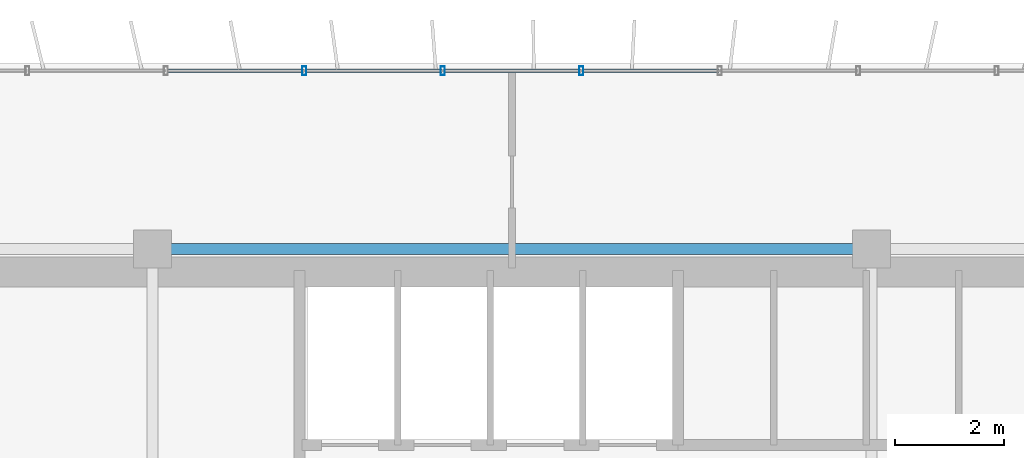
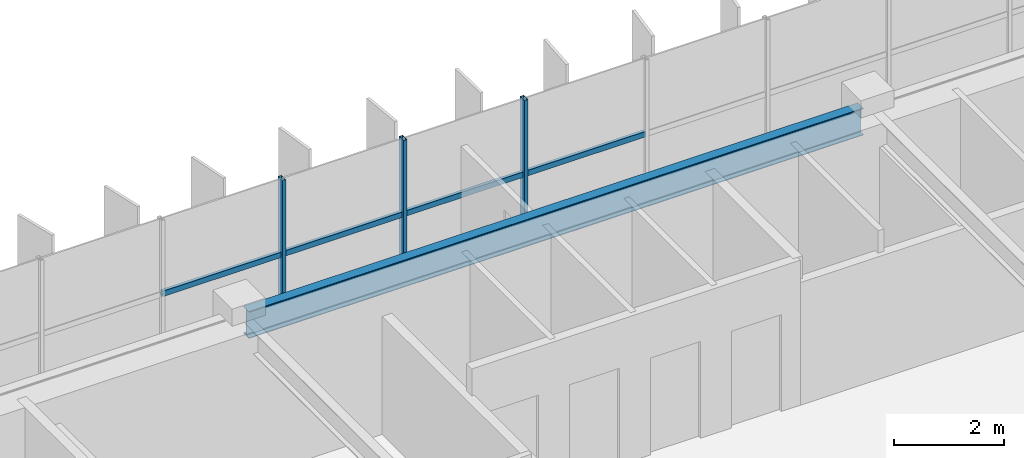
# One storey, part 10 of 24: 7 members, 1 beam, 1 element without a shape of its own.
"""IFC4 building model written with IfcOpenShell, lengths in metres."""

import ifcopenshell
import ifcopenshell.guid

model = None  # the IFC model being written
_history = None  # IfcOwnerHistory: only IFC2X3 demands one
_inside = {}  # id of a spatial element -> (the spatial element, [elements in it])
_under = {}  # id of a project, library or spatial element -> (it, [spatial elements below it])
_declared = {}  # id of a project -> (the project, [libraries it declares])
_typed = {}  # id of a type object -> (the type object, [elements of that type])
_made_of = {}  # id of a material, layer set ... -> (it, [elements and type objects made of it])


def new_model(schema):
    """Start an empty IFC model of exactly this schema.

    Asked for "IFC4X3", IfcOpenShell would pick the latest addendum, in which some entities
    have other attributes; the version numbers below select the first issue.
    IFC2X3 requires an IfcOwnerHistory on every rooted entity: one is made here for all.
    """
    global model, _history
    if schema == "IFC4X3":
        model = ifcopenshell.file(schema_version=(4, 3, 0, 0))
    else:
        model = ifcopenshell.file(schema=schema)
    _inside.clear()
    _under.clear()
    _declared.clear()
    _typed.clear()
    _made_of.clear()
    _history = None
    if model.schema == "IFC2X3":
        org = make("IfcOrganization", Name="unknown")
        user = make(
            "IfcPersonAndOrganization",
            ThePerson=make("IfcPerson", FamilyName="unknown"),
            TheOrganization=org,
        )
        app = make(
            "IfcApplication",
            ApplicationDeveloper=org,
            Version="unknown",
            ApplicationFullName="unknown",
            ApplicationIdentifier="unknown",
        )
        _history = make(
            "IfcOwnerHistory",
            OwningUser=user,
            OwningApplication=app,
            ChangeAction="ADDED",
            CreationDate=0,
        )
    return model


def make(cls, **values):
    """One entity of the class cls with the attributes given. An attribute that is None is left unset."""
    return model.create_entity(
        cls, **{name: value for name, value in values.items() if value is not None}
    )


def rooted(cls, **values):
    """An entity with a GlobalId (a new one), such as an element, a storey or a relation."""
    return make(cls, GlobalId=ifcopenshell.guid.new(), OwnerHistory=_history, **values)


def si_unit(unit_type, name, prefix=None):
    """IfcSIUnit, for example si_unit("LENGTHUNIT", "METRE", prefix="MILLI")."""
    return make("IfcSIUnit", UnitType=unit_type, Prefix=prefix, Name=name)


def assignment(units):
    """IfcUnitAssignment: the units of a project."""
    return None if units is None else make("IfcUnitAssignment", Units=units)


def point(xyz):
    """IfcCartesianPoint."""
    return None if xyz is None else make("IfcCartesianPoint", Coordinates=xyz)


def direction(xyz):
    """IfcDirection."""
    return None if xyz is None else make("IfcDirection", DirectionRatios=xyz)


def frame(location, z_axis=None, x_axis=None):
    """IfcAxis2Placement3D, a coordinate frame: its origin and axes. An axis left out is left unset."""
    return make(
        "IfcAxis2Placement3D",
        Location=point(location),
        Axis=direction(z_axis),
        RefDirection=direction(x_axis),
    )


def frame_2d(location, x_axis=None):
    """IfcAxis2Placement2D, a coordinate frame in the plane: its origin and x axis."""
    return make(
        "IfcAxis2Placement2D", Location=point(location), RefDirection=direction(x_axis)
    )


def origin():
    """The frame at (0, 0, 0) with its axes left unset."""
    return frame((0.0, 0.0, 0.0))


def origin_2d():
    """The frame at (0, 0) in the plane with its x axis left unset."""
    return frame_2d((0.0, 0.0))


def place(relative_to, where):
    """IfcLocalPlacement: puts the frame where relative to a parent placement (None: the world)."""
    return make(
        "IfcLocalPlacement", PlacementRelTo=relative_to, RelativePlacement=where
    )


def context(
    kind, dimensions, precision=None, world=None, true_north=None, identifier=None
):
    """IfcGeometricRepresentationContext, for example the 3D "Model" context."""
    return make(
        "IfcGeometricRepresentationContext",
        ContextIdentifier=identifier,
        ContextType=kind,
        CoordinateSpaceDimension=dimensions,
        Precision=precision,
        WorldCoordinateSystem=world,
        TrueNorth=true_north,
    )


def subcontext(parent, identifier, kind, view, scale=None):
    """IfcGeometricRepresentationSubContext, for example "Body" below "Model"."""
    return make(
        "IfcGeometricRepresentationSubContext",
        ContextIdentifier=identifier,
        ContextType=kind,
        ParentContext=parent,
        TargetScale=scale,
        TargetView=view,
    )


def project(units=None, contexts=None):
    """IfcProject with its units and contexts."""
    return rooted(
        "IfcProject",
        Name="project",
        RepresentationContexts=contexts,
        UnitsInContext=assignment(units),
    )


def spatial(cls, under=None, at=None, **own):
    """A site, building, storey or space (cls), placed at a placement, below another one or the project."""
    s = rooted(cls, ObjectPlacement=at, **own)
    if under is not None:
        _under.setdefault(under.id(), (under, []))[1].append(s)
    return s


def profile(cls, at=None, kind="AREA", **sizes):
    """A parametric profile (cls). Its sizes go by their IFC names, for example OverallWidth=200.0."""
    return make(cls, ProfileType=kind, Position=at, **sizes)


def hollow_rectangle(**sizes):
    """IfcRectangleHollowProfileDef."""
    return profile("IfcRectangleHollowProfileDef", **sizes)


def i_section(**sizes):
    """IfcIShapeProfileDef."""
    return profile("IfcIShapeProfileDef", **sizes)


def extrude(swept, where, along, depth):
    """IfcExtrudedAreaSolid: the profile swept, set in the frame where, extruded along a direction by depth."""
    return make(
        "IfcExtrudedAreaSolid",
        SweptArea=swept,
        Position=where,
        ExtrudedDirection=direction(along),
        Depth=depth,
    )


def shape(context_of_items, identifier, shape_type, items):
    """IfcShapeRepresentation: the items that make up one representation, for example the "Body"."""
    return make(
        "IfcShapeRepresentation",
        ContextOfItems=context_of_items,
        RepresentationIdentifier=identifier,
        RepresentationType=shape_type,
        Items=items,
    )


def source(mapping_origin, context_of_items, identifier, shape_type, items):
    """IfcRepresentationMap: a shape defined once, which mapped items show again and again."""
    return make(
        "IfcRepresentationMap",
        MappingOrigin=mapping_origin,
        MappedRepresentation=shape(context_of_items, identifier, shape_type, items),
    )


def transform(
    local_origin,
    x_axis=None,
    y_axis=None,
    z_axis=None,
    scale=None,
    scale2=None,
    scale3=None,
    uniform=True,
):
    """IfcCartesianTransformationOperator3D, or its non-uniform kind. x_axis, y_axis, z_axis: its Axis1, 2, 3."""
    if uniform:
        return make(
            "IfcCartesianTransformationOperator3D",
            Axis1=direction(x_axis),
            Axis2=direction(y_axis),
            LocalOrigin=point(local_origin),
            Scale=scale,
            Axis3=direction(z_axis),
        )
    return make(
        "IfcCartesianTransformationOperator3DnonUniform",
        Axis1=direction(x_axis),
        Axis2=direction(y_axis),
        LocalOrigin=point(local_origin),
        Scale=scale,
        Axis3=direction(z_axis),
        Scale2=scale2,
        Scale3=scale3,
    )


def mapped(mapping_source, mapping_target):
    """IfcMappedItem: shows the shape of a source again, moved by a transform."""
    return make(
        "IfcMappedItem", MappingSource=mapping_source, MappingTarget=mapping_target
    )


def material(Name=None, Category=None):
    """IfcMaterial."""
    return make("IfcMaterial", Name=Name, Category=Category)


def material_profile(
    of_material, cross_section, Name=None, Category=None, Priority=None
):
    """IfcMaterialProfile: a cross section and its material."""
    return make(
        "IfcMaterialProfile",
        Name=Name,
        Material=of_material,
        Profile=cross_section,
        Priority=Priority,
        Category=Category,
    )


def profile_set(profiles, Name=None, composite=None):
    """IfcMaterialProfileSet."""
    return make(
        "IfcMaterialProfileSet",
        Name=Name,
        MaterialProfiles=profiles,
        CompositeProfile=composite,
    )


def made_of(thing, what):
    """Note that an element or type object is made of a material, layer set ...; save() writes the relation."""
    if what is not None:
        _made_of.setdefault(what.id(), (what, []))[1].append(thing)
    return thing


def type_object(cls, material=None, **own):
    """A type object (cls), such as IfcWallType, which elements share."""
    return made_of(rooted(cls, **own), material)


def element(
    cls,
    number,
    at=None,
    inside=None,
    cuts=None,
    type_object=None,
    material=None,
    context=None,
    identifier="Body",
    shape_type=None,
    held_by="IfcProductDefinitionShape",
    body=None,
    shapes=None,
    **own,
):
    """One element of the class cls, such as IfcWall. Its Tag is "e" and its number.

    at: its placement. inside: the storey or other place that contains it. cuts: it is an
    opening in that element (IfcRelVoidsElement). A single representation is given by context,
    identifier, shape_type and body (its items); several are given by shapes. held_by: the class
    of the entity that holds the representations. save() writes the other relations.
    """
    e = rooted(cls, Tag="e%d" % number, ObjectPlacement=at, **own)
    if body is not None:
        shapes = [shape(context, identifier, shape_type, body)]
    if shapes is not None:
        e.Representation = make(held_by, Representations=shapes)
    if inside is not None:
        _inside.setdefault(inside.id(), (inside, []))[1].append(e)
    if cuts is not None:
        rooted(
            "IfcRelVoidsElement", RelatingBuildingElement=cuts, RelatedOpeningElement=e
        )
    if type_object is not None:
        _typed.setdefault(type_object.id(), (type_object, []))[1].append(e)
    return made_of(e, material)


def aggregate(whole, parts):
    """IfcRelAggregates: a whole, such as a stair, and the parts it consists of."""
    return rooted("IfcRelAggregates", RelatingObject=whole, RelatedObjects=parts)


def save(model, path):
    """Write the relations noted so far, then the file.

    IfcRelAggregates (storeys below a building ...), IfcRelContainedInSpatialStructure (elements
    in a storey), IfcRelDefinesByType, IfcRelAssociatesMaterial and IfcRelDeclares: one each for
    every whole, place, type object, material and project.
    """
    for whole, parts in _under.values():
        aggregate(whole, parts)
    for where, things in _inside.values():
        rooted(
            "IfcRelContainedInSpatialStructure",
            RelatedElements=things,
            RelatingStructure=where,
        )
    for kind, things in _typed.values():
        rooted("IfcRelDefinesByType", RelatedObjects=things, RelatingType=kind)
    for what, things in _made_of.values():
        rooted("IfcRelAssociatesMaterial", RelatedObjects=things, RelatingMaterial=what)
    for by, libraries in _declared.values():
        rooted("IfcRelDeclares", RelatingContext=by, RelatedDefinitions=libraries)
    model.write(path)


model = new_model("IFC4")

# Units and contexts
model_context = context("Model", 3, precision=1e-05, world=origin(), true_north=direction((0.0, 1.0)))
body_context = subcontext(model_context, "Body", "Model", "MODEL_VIEW")
ifc_project = project(units=[si_unit("LENGTHUNIT", "METRE"), si_unit("AREAUNIT", "SQUARE_METRE"), si_unit("VOLUMEUNIT", "CUBIC_METRE"), si_unit("PLANEANGLEUNIT", "RADIAN"), si_unit("MASSUNIT", "GRAM", prefix="KILO")], contexts=[model_context])

# Site, building, storey
site_placement = place(None, origin())
site = spatial("IfcSite", under=ifc_project, at=site_placement, CompositionType="ELEMENT")
building_placement = place(site_placement, origin())
building = spatial("IfcBuilding", under=site, at=building_placement, Name="Trelvane Seafront Commons", CompositionType="ELEMENT")
storey_placement = place(building_placement, frame((0.0, 0.0, 178.89990234375)))
storey = spatial("IfcBuildingStorey", under=building, at=storey_placement, Name="L47", CompositionType="ELEMENT", Elevation=178.89990234375)

# Beam
ifc_material_1 = material(Name="Steel SM355 (S355)", Category="steel")
ifc_material_profile_1 = material_profile(ifc_material_1, i_section(OverallWidth=0.199951171875, OverallDepth=0.60009765625, WebThickness=0.010986328125, FlangeThickness=0.01708984375, at=origin_2d()), Name="H-600x200x11x17")
ifc_profile_set_1 = profile_set([ifc_material_profile_1], Name="Steel SM355 (S355)")
beam_type = type_object("IfcBeamType", Name="STR-SPD-H600", PredefinedType="SPANDREL", material=ifc_profile_set_1)
shared_shape_1 = source(origin(), body_context, "Body", "SweptSolid", [
    extrude(i_section(OverallWidth=0.199951171875, OverallDepth=0.60009765625, WebThickness=0.010986328125, FlangeThickness=0.01708984375, at=origin_2d()), origin(), (0.0, 0.0, 1.0), 12.89990234375),
])
beam_placement = place(storey_placement, frame((30.75, 45.10009765625, 2.920166015625), z_axis=(1.0, 0.0, 0.0), x_axis=(0.0, 1.0, 0.0)))
element("IfcBeam", 1, at=beam_placement, inside=storey, type_object=beam_type, Name="L47 Primary Girder G-25", PredefinedType="SPANDREL", context=body_context, shape_type="MappedRepresentation", body=[
    mapped(shared_shape_1, transform((0.0, 0.0, 0.0), x_axis=(1.0, 0.0, 0.0), y_axis=(0.0, 1.0, 0.0), z_axis=(0.0, 0.0, 1.0), scale=1.0)),
])

# Curtain wall, members
ifc_material_2 = material(Name="Anodised pale-silver aluminium", Category="aluminium")
curtain_wall_type = type_object("IfcCurtainWallType", Name="ARCH-CW5-UPTOWER", PredefinedType="NOTDEFINED", material=ifc_material_2)
curtain_wall_placement = place(storey_placement, origin())
curtain_wall = element("IfcCurtainWall", 2, at=curtain_wall_placement, inside=storey, type_object=curtain_wall_type, Name="CW-L47-0075", PredefinedType="NOTDEFINED")
ifc_material_profile_2 = material_profile(ifc_material_2, hollow_rectangle(XDim=0.070068359375, YDim=0.1201171875, WallThickness=0.00390625, at=origin_2d()), Name="TRAN-70x120x4")
ifc_profile_set_2 = profile_set([ifc_material_profile_2], Name="Anodised pale-silver aluminium")
member_type_1 = type_object("IfcMemberType", Name="ARCH-CW-TRAN-120", PredefinedType="USERDEFINED", material=ifc_profile_set_2)
shared_shape_2 = source(origin(), body_context, "Body", "SweptSolid", [
    extrude(hollow_rectangle(XDim=0.070068359375, YDim=0.1201171875, WallThickness=0.00390625, at=origin_2d()), origin(), (0.0, 0.0, 1.0), 2.51708984375),
])
member_1_placement = place(storey_placement, frame((30.859130859375, 48.3701171875, 1.546142578125), z_axis=(1.0, 0.0, 0.0), x_axis=(0.0, 1.0, 0.0)))
member_1 = element("IfcMember", 3, at=member_1_placement, type_object=member_type_1, Name="CW-L47-0075-T06", ObjectType="TRANSOM", PredefinedType="USERDEFINED", context=body_context, shape_type="MappedRepresentation", body=[
    mapped(shared_shape_2, transform((0.0, 0.0, 0.0), x_axis=(1.0, 0.0, 0.0), y_axis=(0.0, 1.0, 0.0), z_axis=(0.0, 0.0, 1.0), scale=1.0)),
])
member_2_placement = place(storey_placement, frame((35.94140625, 48.3701171875, 1.546142578125), z_axis=(1.0, 0.0, 0.0), x_axis=(0.0, 1.0, 0.0)))
member_2 = element("IfcMember", 4, at=member_2_placement, type_object=member_type_1, Name="CW-L47-0075-T08", ObjectType="TRANSOM", PredefinedType="USERDEFINED", context=body_context, shape_type="MappedRepresentation", body=[
    mapped(shared_shape_2, transform((0.0, 0.0, 0.0), x_axis=(1.0, 0.0, 0.0), y_axis=(0.0, 1.0, 0.0), z_axis=(0.0, 0.0, 1.0), scale=1.0)),
])
member_3_placement = place(storey_placement, frame((38.482666015625, 48.3701171875, 1.546142578125), z_axis=(1.0, 0.0, 0.0), x_axis=(0.0, 1.0, 0.0)))
member_3 = element("IfcMember", 5, at=member_3_placement, type_object=member_type_1, Name="CW-L47-0075-T09", ObjectType="TRANSOM", PredefinedType="USERDEFINED", context=body_context, shape_type="MappedRepresentation", body=[
    mapped(shared_shape_2, transform((0.0, 0.0, 0.0), x_axis=(1.0, 0.0, 0.0), y_axis=(0.0, 1.0, 0.0), z_axis=(0.0, 0.0, 1.0), scale=1.0)),
])
shared_shape_3 = source(origin(), body_context, "Body", "SweptSolid", [
    extrude(hollow_rectangle(XDim=0.070068359375, YDim=0.1201171875, WallThickness=0.00390625, at=origin_2d()), origin(), (0.0, 0.0, 1.0), 2.517333984375),
])
member_4_placement = place(storey_placement, frame((33.400146484375, 48.3701171875, 1.546142578125), z_axis=(1.0, 0.0, 0.0), x_axis=(0.0, 1.0, 0.0)))
member_4 = element("IfcMember", 6, at=member_4_placement, type_object=member_type_1, Name="CW-L47-0075-T07", ObjectType="TRANSOM", PredefinedType="USERDEFINED", context=body_context, shape_type="MappedRepresentation", body=[
    mapped(shared_shape_3, transform((0.0, 0.0, 0.0), x_axis=(1.0, 0.0, 0.0), y_axis=(0.0, 1.0, 0.0), z_axis=(0.0, 0.0, 1.0), scale=1.0)),
])
ifc_material_profile_3 = material_profile(ifc_material_2, hollow_rectangle(XDim=0.074951171875, YDim=0.159912109375, WallThickness=0.00390625, at=origin_2d()), Name="MULL-75x160x4")
ifc_profile_set_3 = profile_set([ifc_material_profile_3], Name="Anodised pale-silver aluminium")
member_type_2 = type_object("IfcMemberType", Name="ARCH-CW-MULL-160", PredefinedType="MULLION", material=ifc_profile_set_3)
shared_shape_4 = source(origin(), body_context, "Body", "SweptSolid", [
    extrude(hollow_rectangle(XDim=0.074951171875, YDim=0.159912109375, WallThickness=0.00390625, at=origin_2d()), origin(), (0.0, 0.0, 1.0), 3.22021484375),
])
member_5_placement = place(storey_placement, frame((33.38818359375, 48.3701171875, 0.0), z_axis=(0.0, 0.0, 1.0), x_axis=(1.0, 0.0, 0.0)))
member_5 = element("IfcMember", 7, at=member_5_placement, type_object=member_type_2, Name="CW-L47-0075-M07", PredefinedType="MULLION", context=body_context, shape_type="MappedRepresentation", body=[
    mapped(shared_shape_4, transform((0.0, 0.0, 0.0), x_axis=(1.0, 0.0, 0.0), y_axis=(0.0, 1.0, 0.0), z_axis=(0.0, 0.0, 1.0), scale=1.0)),
])
member_6_placement = place(storey_placement, frame((35.929443359375, 48.3701171875, 0.0), z_axis=(0.0, 0.0, 1.0), x_axis=(1.0, 0.0, 0.0)))
member_6 = element("IfcMember", 8, at=member_6_placement, type_object=member_type_2, Name="CW-L47-0075-M08", PredefinedType="MULLION", context=body_context, shape_type="MappedRepresentation", body=[
    mapped(shared_shape_4, transform((0.0, 0.0, 0.0), x_axis=(1.0, 0.0, 0.0), y_axis=(0.0, 1.0, 0.0), z_axis=(0.0, 0.0, 1.0), scale=1.0)),
])
member_7_placement = place(storey_placement, frame((38.470703125, 48.3701171875, 0.0), z_axis=(0.0, 0.0, 1.0), x_axis=(1.0, 0.0, 0.0)))
member_7 = element("IfcMember", 9, at=member_7_placement, type_object=member_type_2, Name="CW-L47-0075-M09", PredefinedType="MULLION", context=body_context, shape_type="MappedRepresentation", body=[
    mapped(shared_shape_4, transform((0.0, 0.0, 0.0), x_axis=(1.0, 0.0, 0.0), y_axis=(0.0, 1.0, 0.0), z_axis=(0.0, 0.0, 1.0), scale=1.0)),
])
aggregate(curtain_wall, [member_5, member_6, member_7, member_1, member_4, member_2, member_3])

save(model, "model.ifc")
